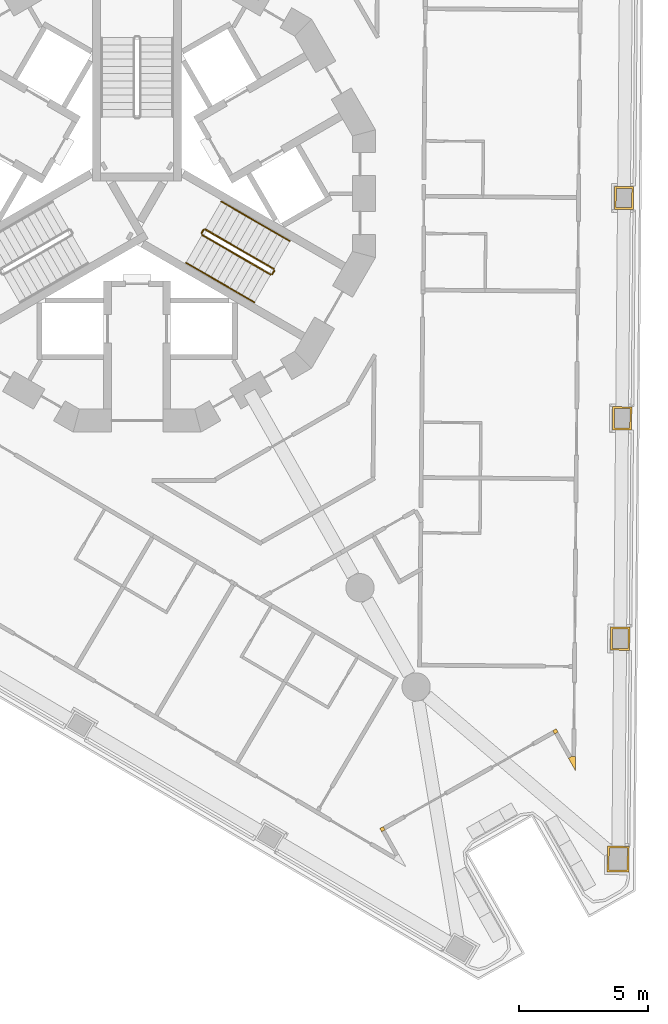
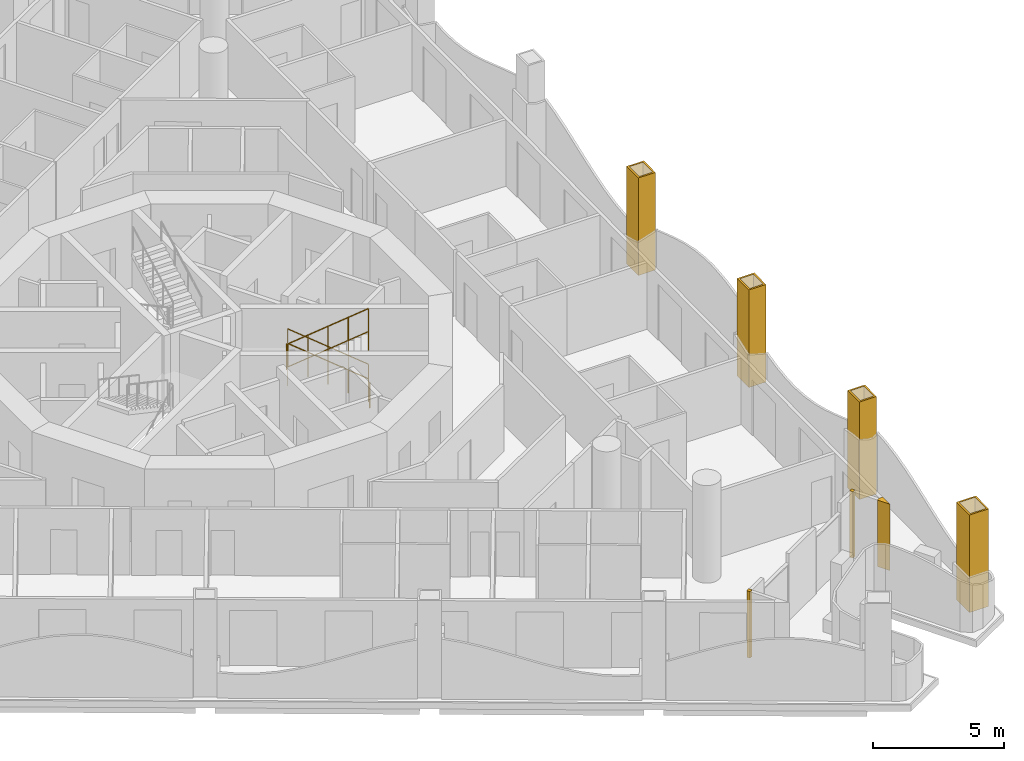
# One storey, part 14 of 17: 8 railings, 7 coverings.
"""IFC4 building model written with IfcOpenShell, lengths in metres."""

from ifc_helpers import new_model, si_unit, direction, frame, origin, origin_2d, place, context, subcontext, project, spatial, polyline, circle, outline, extrude, material, layer, layer_set, type_object, element, save


model = new_model("IFC4")

# Units and contexts
model_context = context("Model", 3, precision=1e-05, world=origin(), true_north=direction((0.0, 1.0)))
body_context = subcontext(model_context, "Body", "Model", "MODEL_VIEW")
ifc_project = project(units=[si_unit("LENGTHUNIT", "METRE"), si_unit("AREAUNIT", "SQUARE_METRE"), si_unit("VOLUMEUNIT", "CUBIC_METRE"), si_unit("PLANEANGLEUNIT", "RADIAN"), si_unit("MASSUNIT", "GRAM", prefix="KILO")], contexts=[model_context])

# Site, building, storey
site_placement = place(None, origin())
site = spatial("IfcSite", under=ifc_project, at=site_placement, CompositionType="ELEMENT")
building_placement = place(site_placement, origin())
building = spatial("IfcBuilding", under=site, at=building_placement, Name="Trine Commons Tower", CompositionType="ELEMENT")
storey_placement = place(building_placement, frame((0.0, 0.0, 189.89990234375)))
storey = spatial("IfcBuildingStorey", under=building, at=storey_placement, Name="L49", CompositionType="ELEMENT", Elevation=189.89990234375)

# Coverings
ifc_material_1 = material(Name="Aluminium-framed insulated wall panel", Category="aluminium")
ifc_layer_1 = layer(ifc_material_1, 0.14990234375)
ifc_layer_set_1 = layer_set([ifc_layer_1], Name="Aluminium-framed insulated wall panel")
covering_type_1 = type_object("IfcCoveringType", Name="Glazing corner post, aluminium", PredefinedType="CLADDING", material=ifc_layer_set_1)
covering_1_placement = place(storey_placement, origin())
element("IfcCovering", 1, at=covering_1_placement, inside=storey, type_object=covering_type_1, Name="Glazing corner post 5-09", PredefinedType="CLADDING", context=body_context, shape_type="SweptSolid", body=[
    extrude(outline(polyline([(96.776611328125, 40.5439453125), (97.05224609375, 40.056640625), (97.05712890625, 40.616455078125), (96.9072265625, 40.617919921875), (96.9072265625, 40.617919921875), (96.776611328125, 40.5439453125)])), origin(), (0.0, 0.0, 1.0), 3.10009765625),
])
covering_2_placement = place(storey_placement, origin())
element("IfcCovering", 2, at=covering_2_placement, inside=storey, type_object=covering_type_1, Name="Glazing corner post 5-10", PredefinedType="CLADDING", context=body_context, shape_type="SweptSolid", body=[
    extrude(outline(polyline([(96.168212890625, 41.619384765625), (96.241943359375, 41.489013671875), (96.37255859375, 41.562744140625), (96.298583984375, 41.693359375), (96.168212890625, 41.619384765625)])), origin(), (0.0, 0.0, 1.0), 3.10009765625),
])
covering_3_placement = place(storey_placement, origin())
element("IfcCovering", 3, at=covering_3_placement, inside=storey, type_object=covering_type_1, Name="Glazing corner post 5-11", PredefinedType="CLADDING", context=body_context, shape_type="SweptSolid", body=[
    extrude(outline(polyline([(89.51416015625, 37.6826171875), (89.644775390625, 37.75634765625), (89.57080078125, 37.886962890625), (89.440185546875, 37.81298828125), (89.51416015625, 37.6826171875)])), origin(), (0.0, 0.0, 1.0), 3.10009765625),
])
ifc_material_2 = material(Name="Limestone, honed", Category="masonry")
ifc_layer_2 = layer(ifc_material_2, 0.074951171875)
ifc_layer_set_2 = layer_set([ifc_layer_2], Name="Limestone, honed")
covering_type_2 = type_object("IfcCoveringType", Name="Limestone column cladding 75", PredefinedType="CLADDING", material=ifc_layer_set_2)
covering_4_placement = place(storey_placement, origin())
element("IfcCovering", 4, at=covering_4_placement, inside=storey, type_object=covering_type_2, Name="Limestone pier cladding 5-18", PredefinedType="CLADDING", context=body_context, shape_type="SweptSolid", body=[
    extrude(outline(polyline([(99.315673828125, 62.781494140625), (98.565673828125, 62.7880859375), (98.557861328125, 61.887939453125), (99.307861328125, 61.88134765625), (99.315673828125, 62.781494140625)]), holes=[polyline([(99.239990234375, 62.70703125), (98.64013671875, 62.71240234375), (98.633544921875, 61.96240234375), (99.2333984375, 61.95703125), (99.239990234375, 62.70703125)])]), origin(), (0.0, 0.0, 1.0), 4.54931640625),
])
covering_5_placement = place(storey_placement, origin())
element("IfcCovering", 5, at=covering_5_placement, inside=storey, type_object=covering_type_2, Name="Limestone pier cladding 5-19", PredefinedType="CLADDING", context=body_context, shape_type="SweptSolid", body=[
    extrude(outline(polyline([(99.240966796875, 54.211181640625), (98.490966796875, 54.2177734375), (98.483154296875, 53.31787109375), (99.233154296875, 53.311279296875), (99.240966796875, 54.211181640625)]), holes=[polyline([(99.165283203125, 54.136962890625), (98.565185546875, 54.14208984375), (98.55859375, 53.39208984375), (99.15869140625, 53.386962890625), (99.165283203125, 54.136962890625)])]), origin(), (0.0, 0.0, 1.0), 4.54931640625),
])
covering_6_placement = place(storey_placement, origin())
element("IfcCovering", 6, at=covering_6_placement, inside=storey, type_object=covering_type_2, Name="Limestone pier cladding 5-20", PredefinedType="CLADDING", context=body_context, shape_type="SweptSolid", body=[
    extrude(outline(polyline([(99.166015625, 45.640869140625), (98.416015625, 45.6474609375), (98.408203125, 44.74755859375), (99.158203125, 44.740966796875), (99.166015625, 45.640869140625)]), holes=[polyline([(99.090576171875, 45.566650390625), (98.490478515625, 45.57177734375), (98.48388671875, 44.82177734375), (99.083984375, 44.816650390625), (99.090576171875, 45.566650390625)])]), origin(), (0.0, 0.0, 1.0), 4.54931640625),
])
covering_7_placement = place(storey_placement, origin())
element("IfcCovering", 7, at=covering_7_placement, inside=storey, type_object=covering_type_2, Name="Limestone pier cladding 5-21", PredefinedType="CLADDING", context=body_context, shape_type="SweptSolid", body=[
    extrude(outline(polyline([(99.1416015625, 37.1201171875), (98.291748046875, 37.127685546875), (98.283203125, 36.127685546875), (99.133056640625, 36.1201171875), (99.1416015625, 37.1201171875)]), holes=[polyline([(99.066162109375, 37.0458984375), (98.3662109375, 37.052001953125), (98.358642578125, 36.201904296875), (99.05859375, 36.19580078125), (99.066162109375, 37.0458984375)])]), origin(), (0.0, 0.0, 1.0), 4.54931640625),
])

# Railings
ifc_material_3 = material(Name="Stainless steel balustrade", Category="steel")
railing_type_1 = type_object("IfcRailingType", Name="Stair guard, steel balustrade 1100", PredefinedType="GUARDRAIL", material=ifc_material_3)
railing_1_placement = place(storey_placement, frame((85.31982421875, 59.572998046875, 0.150146484375)))
element("IfcRailing", 8, at=railing_1_placement, inside=storey, type_object=railing_type_1, Name="L49 ST3B stair guard 1", PredefinedType="GUARDRAIL", context=body_context, shape_type="SweptSolid", body=[
    extrude(circle(Radius=0.02392578125, at=origin_2d()), frame((0.0, 0.0, 1.076171875), z_axis=(-0.76340495495, 0.440743040072, 0.472184759798), x_axis=(-0.499992328818, -0.866029832698, 0.0)), (0.0, 0.0, 1.0), 3.494140625),
    extrude(circle(Radius=0.02099609375, at=origin_2d()), origin(), (0.0, 0.0, 1.0), 1.052001953125),
    extrude(circle(Radius=0.02099609375, at=origin_2d()), frame((-0.6669921875, 0.385009765625, 0.41259765625)), (0.0, 0.0, 1.0), 1.052001953125),
    extrude(circle(Radius=0.02099609375, at=origin_2d()), frame((-1.333740234375, 0.77001953125, 0.824951171875)), (0.0, 0.0, 1.0), 1.052001953125),
    extrude(circle(Radius=0.02099609375, at=origin_2d()), frame((-2.00048828125, 1.155029296875, 1.2373046875)), (0.0, 0.0, 1.0), 1.052001953125),
    extrude(circle(Radius=0.02099609375, at=origin_2d()), frame((-2.66748046875, 1.5400390625, 1.64990234375)), (0.0, 0.0, 1.0), 1.052001953125),
])
railing_2_placement = place(storey_placement, frame((82.584228515625, 61.0947265625, 1.800048828125)))
element("IfcRailing", 9, at=railing_2_placement, inside=storey, type_object=railing_type_1, Name="L49 ST3B stair guard 2", PredefinedType="GUARDRAIL", context=body_context, shape_type="SweptSolid", body=[
    extrude(circle(Radius=0.02392578125, at=origin_2d()), frame((0.0, 0.0, 1.076171875), z_axis=(-0.501036270542, -0.865426285481, 0.0), x_axis=(0.865426285481, -0.501036270542, 0.0)), (0.0, 0.0, 1.0), 0.150146484375),
    extrude(circle(Radius=0.02099609375, at=origin_2d()), origin(), (0.0, 0.0, 1.0), 1.052001953125),
    extrude(circle(Radius=0.02099609375, at=origin_2d()), frame((-0.0751953125, -0.1298828125, 0.0)), (0.0, 0.0, 1.0), 1.052001953125),
])
railing_3_placement = place(storey_placement, frame((82.52734375, 60.896484375, 1.9501953125)))
element("IfcRailing", 10, at=railing_3_placement, inside=storey, type_object=railing_type_1, Name="L49 ST3B stair guard 3", PredefinedType="GUARDRAIL", context=body_context, shape_type="SweptSolid", body=[
    extrude(circle(Radius=0.02392578125, at=origin_2d()), frame((0.0, 0.0, 1.076171875), z_axis=(0.76340495495, -0.440743040072, 0.472184759798), x_axis=(0.499992328818, 0.866029832698, 0.0)), (0.0, 0.0, 1.0), 3.494140625),
    extrude(circle(Radius=0.02099609375, at=origin_2d()), origin(), (0.0, 0.0, 1.0), 1.052001953125),
    extrude(circle(Radius=0.02099609375, at=origin_2d()), frame((0.6669921875, -0.385009765625, 0.41259765625)), (0.0, 0.0, 1.0), 1.052001953125),
    extrude(circle(Radius=0.02099609375, at=origin_2d()), frame((1.333740234375, -0.77001953125, 0.824951171875)), (0.0, 0.0, 1.0), 1.052001953125),
    extrude(circle(Radius=0.02099609375, at=origin_2d()), frame((2.00048828125, -1.155029296875, 1.2373046875)), (0.0, 0.0, 1.0), 1.052001953125),
    extrude(circle(Radius=0.02099609375, at=origin_2d()), frame((2.66748046875, -1.5400390625, 1.64990234375)), (0.0, 0.0, 1.0), 1.052001953125),
])
railing_4_placement = place(storey_placement, frame((85.338134765625, 59.504638671875, 0.0)))
element("IfcRailing", 11, at=railing_4_placement, inside=storey, type_object=railing_type_1, Name="L49 ST3B stair guard 4", PredefinedType="GUARDRAIL", context=body_context, shape_type="SweptSolid", body=[
    extrude(circle(Radius=0.02392578125, at=origin_2d()), frame((0.0, 0.0, 1.076171875), z_axis=(-0.499816412211, -0.866131372301, 0.0), x_axis=(0.866131372301, -0.499816412211, 0.0)), (0.0, 0.0, 1.0), 0.14990234375),
    extrude(circle(Radius=0.02099609375, at=origin_2d()), origin(), (0.0, 0.0, 1.0), 1.052001953125),
    extrude(circle(Radius=0.02099609375, at=origin_2d()), frame((-0.074951171875, -0.1298828125, 0.0)), (0.0, 0.0, 1.0), 1.052001953125),
])
ifc_material_4 = material(Name="Stainless steel handrail", Category="steel")
railing_type_2 = type_object("IfcRailingType", Name="Stair handrail, steel 900", PredefinedType="HANDRAIL", material=ifc_material_4)
for number, where, name in (
    (12, (85.94482421875, 60.655517578125, 0.150146484375), "L49 ST3B stair handrail 1"),
    (13, (84.611083984375, 61.425537109375, 0.97509765625), "L49 ST3B stair handrail 2"),
):
    element("IfcRailing", number, at=place(storey_placement, frame(where)), inside=storey, type_object=railing_type_2, Name=name, PredefinedType="HANDRAIL", context=body_context, shape_type="SweptSolid", body=[
        extrude(circle(Radius=0.02099609375, at=origin_2d()), frame((0.0, 0.0, 0.87890625), z_axis=(-0.76340495495, 0.440743040072, 0.472184759798), x_axis=(-0.499992328818, -0.866029832698, 0.0)), (0.0, 0.0, 1.0), 1.7470703125),
        extrude(circle(Radius=0.01513671875, at=origin_2d()), origin(), (0.0, 0.0, 1.0), 0.85791015625),
        extrude(circle(Radius=0.01513671875, at=origin_2d()), frame((-0.6669921875, 0.385009765625, 0.41259765625)), (0.0, 0.0, 1.0), 0.85791015625),
        extrude(circle(Radius=0.01513671875, at=origin_2d()), frame((-1.333740234375, 0.77001953125, 0.824951171875)), (0.0, 0.0, 1.0), 0.85791015625),
    ])
for number, where, name in (
    (14, (81.90234375, 59.81396484375, 1.9501953125), "L49 ST3B stair handrail 3"),
    (15, (83.236083984375, 59.0439453125, 2.775146484375), "L49 ST3B stair handrail 4"),
):
    element("IfcRailing", number, at=place(storey_placement, frame(where)), inside=storey, type_object=railing_type_2, Name=name, PredefinedType="HANDRAIL", context=body_context, shape_type="SweptSolid", body=[
        extrude(circle(Radius=0.02099609375, at=origin_2d()), frame((0.0, 0.0, 0.87890625), z_axis=(0.76340495495, -0.440743040072, 0.472184759798), x_axis=(0.499992328818, 0.866029832698, 0.0)), (0.0, 0.0, 1.0), 1.7470703125),
        extrude(circle(Radius=0.01513671875, at=origin_2d()), origin(), (0.0, 0.0, 1.0), 0.85791015625),
        extrude(circle(Radius=0.01513671875, at=origin_2d()), frame((0.6669921875, -0.385009765625, 0.41259765625)), (0.0, 0.0, 1.0), 0.85791015625),
        extrude(circle(Radius=0.01513671875, at=origin_2d()), frame((1.333740234375, -0.77001953125, 0.824951171875)), (0.0, 0.0, 1.0), 0.85791015625),
    ])

save(model, "model.ifc")
